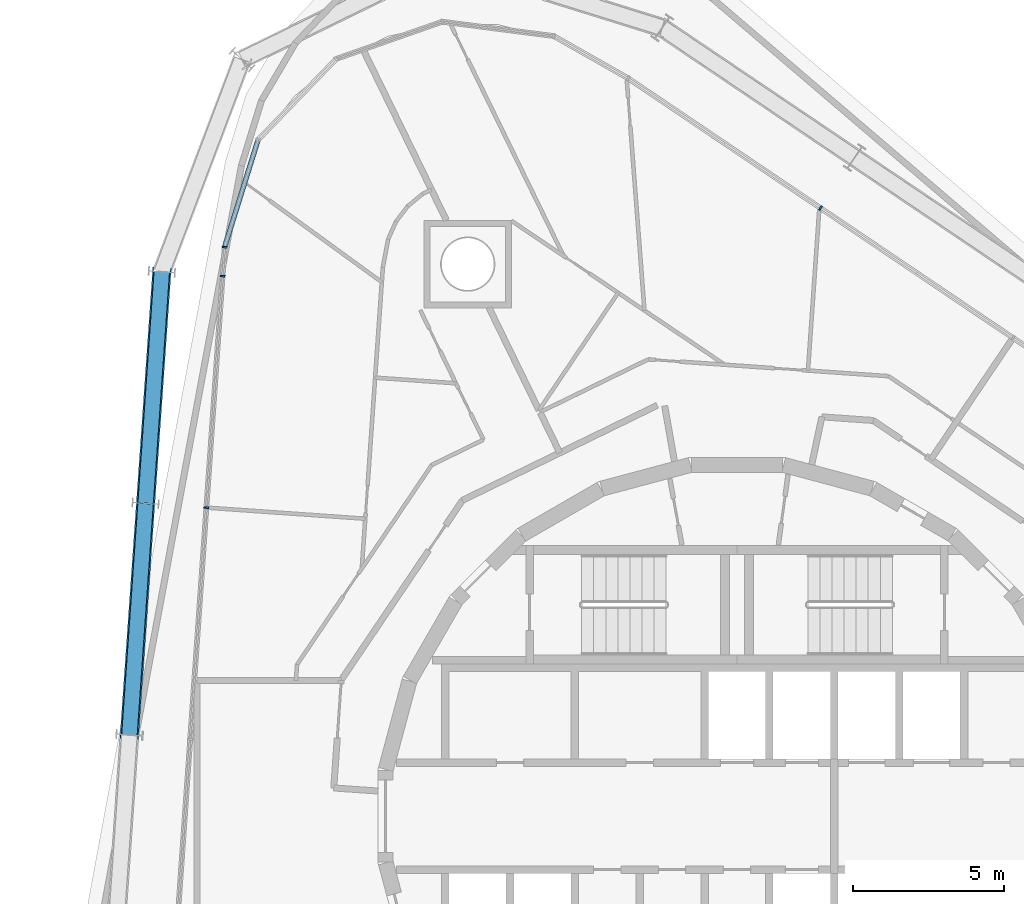
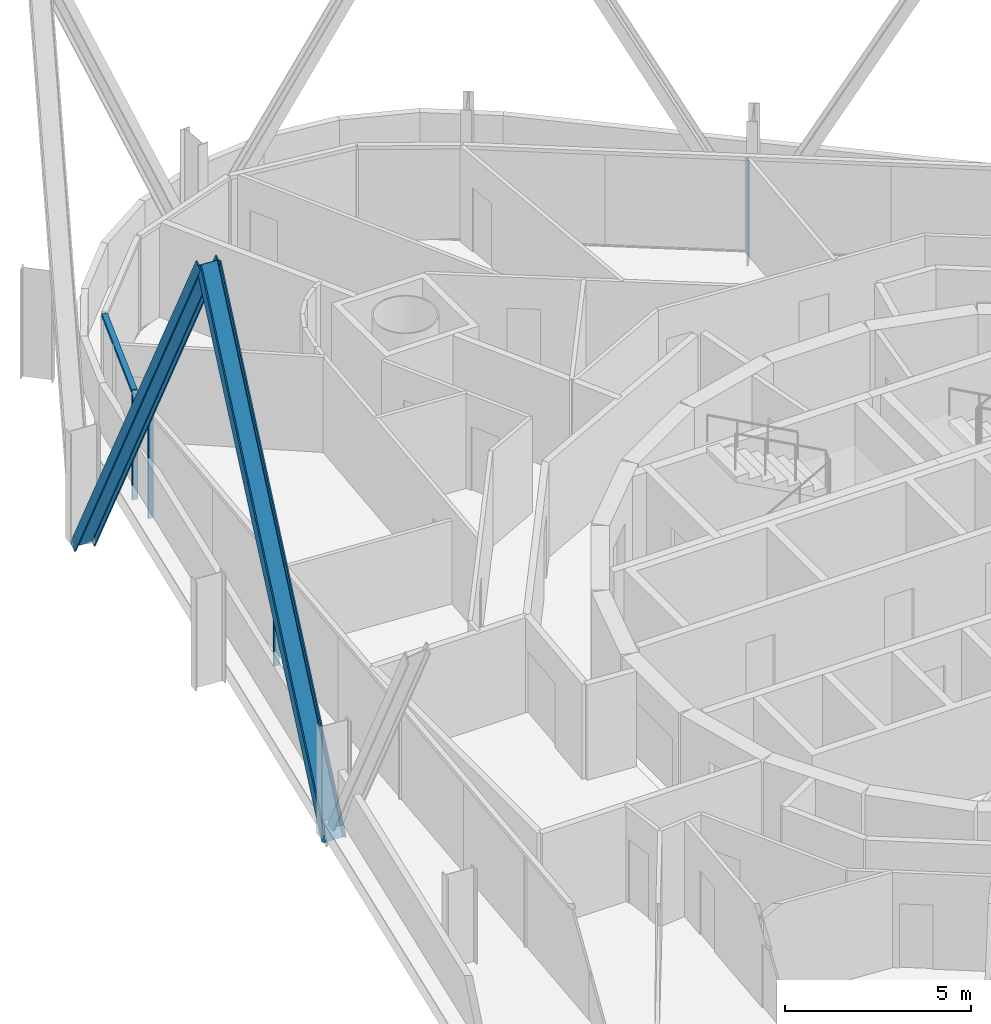
# One storey, part 7 of 18: 7 members, 3 elements without a shape of their own.
"""IFC4 building model written with IfcOpenShell, lengths in metres."""

from ifc_helpers import new_model, si_unit, direction, frame, origin, origin_2d, place, context, subcontext, project, spatial, rectangle, i_section, extrude, material, layer, layer_set, material_profile, profile_set, type_object, element, aggregate, save


model = new_model("IFC4")

# Units and contexts
model_context = context("Model", 3, precision=1e-05, world=origin(), true_north=direction((0.0, 1.0)))
body_context = subcontext(model_context, "Body", "Model", "MODEL_VIEW")
ifc_project = project(units=[si_unit("LENGTHUNIT", "METRE"), si_unit("AREAUNIT", "SQUARE_METRE"), si_unit("VOLUMEUNIT", "CUBIC_METRE"), si_unit("PLANEANGLEUNIT", "RADIAN"), si_unit("MASSUNIT", "GRAM", prefix="KILO")], contexts=[model_context])

# Site, building, storey
site_placement = place(None, origin())
site = spatial("IfcSite", under=ifc_project, at=site_placement, CompositionType="ELEMENT")
building_placement = place(site_placement, origin())
building = spatial("IfcBuilding", under=site, at=building_placement, Name="Spindle Arch Residences", CompositionType="ELEMENT")
storey_placement = place(building_placement, frame((0.0, 0.0, 188.39990234375)))
storey = spatial("IfcBuildingStorey", under=building, at=storey_placement, Name="L47", CompositionType="ELEMENT", Elevation=188.39990234375)

# Curtain wall, member
ifc_material_1 = material(Name="Aluminium bronze unitised frame with tinted glass", Category="aluminium")
ifc_layer_1 = layer(ifc_material_1, 0.159912109375)
ifc_layer_set_1 = layer_set([ifc_layer_1], Name="CW-C typical residential unitised wall")
curtain_wall_type_1 = type_object("IfcCurtainWallType", Name="CW-C typical residential unitised wall", PredefinedType="NOTDEFINED", material=ifc_layer_set_1)
curtain_wall_1_placement = place(storey_placement, origin())
curtain_wall_1 = element("IfcCurtainWall", 1, at=curtain_wall_1_placement, inside=storey, type_object=curtain_wall_type_1, Name="CW-C L47 run 2", PredefinedType="NOTDEFINED")
ifc_material_2 = material(Name="Aluminium bronze anodised mullion", Category="aluminium")
ifc_material_profile_1 = material_profile(ifc_material_2, rectangle(XDim=0.159912109375, YDim=0.06005859375, at=origin_2d()), Name="MU 60x160")
ifc_profile_set_1 = profile_set([ifc_material_profile_1], Name="Aluminium bronze anodised mullion")
member_type_1 = type_object("IfcMemberType", Name="Bronze mullion 60x160", PredefinedType="MULLION", material=ifc_profile_set_1)
member_1_placement = place(storey_placement, frame((2.769775390625, 20.158203125, -0.449951171875), z_axis=(0.0, 0.0, 1.0), x_axis=(-0.559192903471, -0.829037572555, 0.0)))
member_1 = element("IfcMember", 2, at=member_1_placement, type_object=member_type_1, Name="CW-C mullion 08", PredefinedType="MULLION", context=body_context, shape_type="SweptSolid", body=[
    extrude(rectangle(XDim=0.159912109375, YDim=0.06005859375, at=origin_2d()), origin(), (0.0, 0.0, 1.0), 3.449951171875),
])
aggregate(curtain_wall_1, [member_1])

ifc_material_3 = material(Name="Aluminium bronze unitised frame with tinted glass", Category="aluminium")
ifc_layer_2 = layer(ifc_material_3, 0.159912109375)
ifc_layer_set_2 = layer_set([ifc_layer_2], Name="CW-D corner wall on the fillet arcs")
curtain_wall_type_2 = type_object("IfcCurtainWallType", Name="CW-D corner wall on the fillet arcs", PredefinedType="NOTDEFINED", material=ifc_layer_set_2)
curtain_wall_2_placement = place(storey_placement, origin())
curtain_wall_2 = element("IfcCurtainWall", 3, at=curtain_wall_2_placement, inside=storey, type_object=curtain_wall_type_2, Name="CW-D L47 run 3", PredefinedType="NOTDEFINED")
member_2_placement = place(storey_placement, frame((-16.986328125, 18.864501953125, -0.449951171875), z_axis=(0.0, 0.0, 1.0), x_axis=(0.99756405026, -0.069756473744, 0.0)))
member_2 = element("IfcMember", 4, at=member_2_placement, type_object=member_type_1, Name="CW-D mullion 05", PredefinedType="MULLION", context=body_context, shape_type="SweptSolid", body=[
    extrude(rectangle(XDim=0.159912109375, YDim=0.06005859375, at=origin_2d()), origin(), (0.0, 0.0, 1.0), 3.449951171875),
])

# Curtain wall, members
curtain_wall_3_placement = place(storey_placement, origin())
curtain_wall_3 = element("IfcCurtainWall", 5, at=curtain_wall_3_placement, inside=storey, type_object=curtain_wall_type_1, Name="CW-C L47 run 4", PredefinedType="NOTDEFINED")
member_3_placement = place(storey_placement, frame((-17.053466796875, 17.90283203125, -0.449951171875), z_axis=(0.0, 0.0, 1.0), x_axis=(0.99756405026, -0.069756473744, 0.0)))
member_3 = element("IfcMember", 6, at=member_3_placement, type_object=member_type_1, Name="CW-C mullion 12", PredefinedType="MULLION", context=body_context, shape_type="SweptSolid", body=[
    extrude(rectangle(XDim=0.159912109375, YDim=0.06005859375, at=origin_2d()), origin(), (0.0, 0.0, 1.0), 3.449951171875),
])
member_4_placement = place(storey_placement, frame((-17.590087890625, 10.22802734375, -0.449951171875), z_axis=(0.0, 0.0, 1.0), x_axis=(0.99756405026, -0.069756473744, 0.0)))
member_4 = element("IfcMember", 7, at=member_4_placement, type_object=member_type_1, Name="CW-C mullion 13", PredefinedType="MULLION", context=body_context, shape_type="SweptSolid", body=[
    extrude(rectangle(XDim=0.159912109375, YDim=0.06005859375, at=origin_2d()), origin(), (0.0, 0.0, 1.0), 3.449951171875),
])
aggregate(curtain_wall_3, [member_3, member_4])

# Member
ifc_material_4 = material(Name="Aluminium bronze anodised transom", Category="aluminium")
ifc_material_profile_2 = material_profile(ifc_material_4, rectangle(XDim=0.159912109375, YDim=0.1201171875, at=origin_2d()), Name="TR 120x160")
ifc_profile_set_2 = profile_set([ifc_material_profile_2], Name="Aluminium bronze anodised transom")
member_type_2 = type_object("IfcMemberType", Name="Bronze transom 120x160", PredefinedType="USERDEFINED", material=ifc_profile_set_2)
member_5_placement = place(storey_placement, frame((-15.884765625, 22.393310546875, 3.06005859375), z_axis=(-0.297952730594, -0.95458062537, 0.0), x_axis=(0.95458062537, -0.297952730594, 0.0)))
member_5 = element("IfcMember", 8, at=member_5_placement, type_object=member_type_2, Name="CW-D transom 04", ObjectType="TRANSOM", PredefinedType="USERDEFINED", context=body_context, shape_type="SweptSolid", body=[
    extrude(rectangle(XDim=0.159912109375, YDim=0.1201171875, at=origin_2d()), origin(), (0.0, 0.0, 1.0), 3.666748046875),
])

aggregate(curtain_wall_2, [member_5, member_2])

# Members
ifc_material_5 = material(Name="Steel S460ML, intumescent coating R 240", Category="steel")
ifc_material_profile_3 = material_profile(ifc_material_5, i_section(OverallWidth=0.304931640625, OverallDepth=0.6201171875, WebThickness=0.02099609375, FlangeThickness=0.0400390625, FilletRadius=0.027099609375, at=origin_2d()), Name="HEM 600")
ifc_profile_set_3 = profile_set([ifc_material_profile_3], Name="Steel S460ML, intumescent coating R 240")
member_type_3 = type_object("IfcMemberType", Name="Diagrid diagonal HEM 600", PredefinedType="BRACE", material=ifc_profile_set_3)
for number, where, z_axis, x_axis, name in (
    (9, (-19.068603515625, 18.043701171875, -0.699951171875), (-0.033463257568, -0.478594615513, 0.877398087754), (0.061198121592, 0.8752612149, 0.479763061943), "Diagrid diagonal 5.1.13"),
    (10, (-20.141845703125, 2.69384765625, -0.699951171875), (0.033463013742, 0.478606352603, 0.877391694718), (-0.061195738474, -0.875254972881, 0.479774753442), "Diagrid diagonal 5.1.14"),
):
    element("IfcMember", number, at=place(storey_placement, frame(where, z_axis=z_axis, x_axis=x_axis)), inside=storey, type_object=member_type_3, Name=name, PredefinedType="BRACE", context=body_context, shape_type="SweptSolid", body=[
        extrude(i_section(OverallWidth=0.304931640625, OverallDepth=0.6201171875, WebThickness=0.02099609375, FlangeThickness=0.0400390625, FilletRadius=0.027099609375, at=origin_2d()), origin(), (0.0, 0.0, 1.0), 16.0361328125),
    ])

save(model, "model.ifc")
